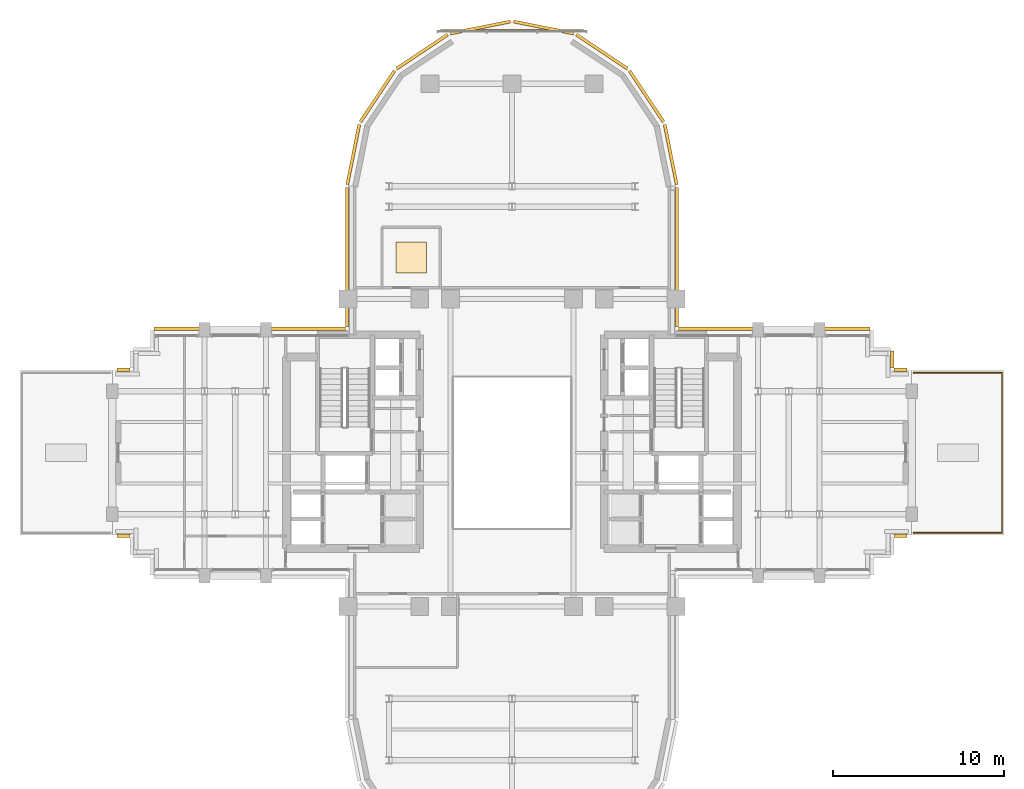
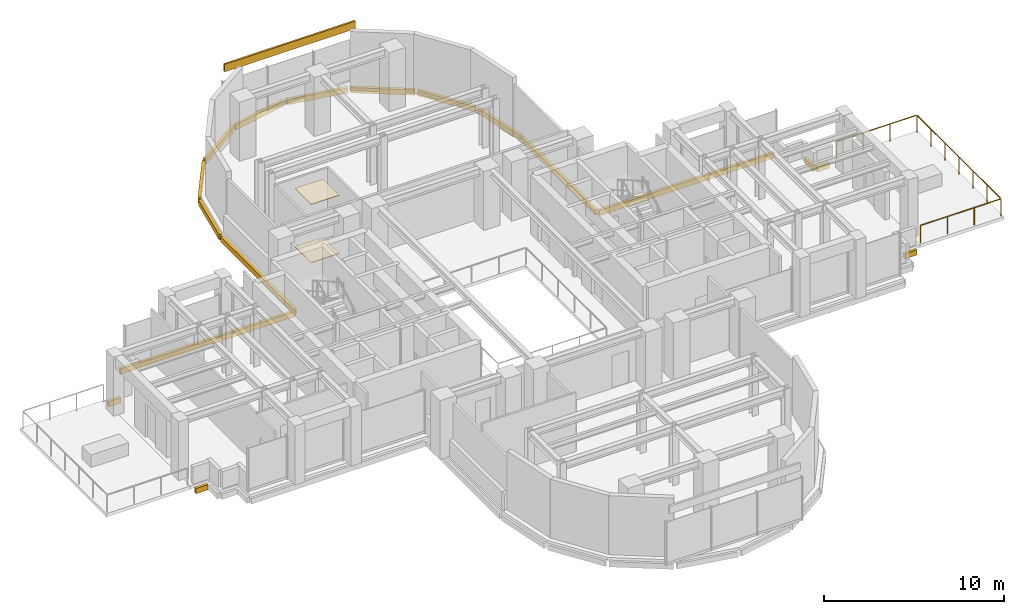
# One storey, part 14 of 16: 20 coverings, 1 railing.
"""IFC4 building model written with IfcOpenShell, lengths in metres."""

from ifc_helpers import new_model, si_unit, direction, frame, origin, origin_2d, place, context, subcontext, project, spatial, rectangle, extrude, source, transform, mapped, material, layer, layer_set, type_object, element, save


model = new_model("IFC4")

# Units and contexts
model_context = context("Model", 3, precision=1e-05, world=origin(), true_north=direction((0.0, 1.0)))
body_context = subcontext(model_context, "Body", "Model", "MODEL_VIEW")
ifc_project = project(units=[si_unit("LENGTHUNIT", "METRE"), si_unit("AREAUNIT", "SQUARE_METRE"), si_unit("VOLUMEUNIT", "CUBIC_METRE"), si_unit("PLANEANGLEUNIT", "RADIAN"), si_unit("MASSUNIT", "GRAM", prefix="KILO")], contexts=[model_context])

# Site, building, storey
site_placement = place(None, origin())
site = spatial("IfcSite", under=ifc_project, at=site_placement, CompositionType="ELEMENT")
building_placement = place(site_placement, origin())
building = spatial("IfcBuilding", under=site, at=building_placement, Name="Keilestroom Media Tower", CompositionType="ELEMENT")
storey_placement = place(building_placement, frame((0.0, 0.0, 93.0)))
storey = spatial("IfcBuildingStorey", under=building, at=storey_placement, Name="L24", CompositionType="ELEMENT", Elevation=93.0)

# Railing
ifc_material_1 = material(Name="Laminated Safety Glass & Bronze Aluminium", Category="aluminium")
railing_type = type_object("IfcRailingType", Name="Terrace-And-Atrium-Guard-Balustrade-GD-SKY", PredefinedType="BALUSTRADE", material=ifc_material_1)
railing_placement = place(storey_placement, frame((23.52001953125, -4.679931640625, 0.0)))
element("IfcRailing", 1, at=railing_placement, inside=storey, type_object=railing_type, Name="L24 Terrace Perimeter Guard SG24-E", PredefinedType="BALUSTRADE", context=body_context, shape_type="SweptSolid", body=[
    extrude(rectangle(XDim=0.048095703125, YDim=0.048095703125, at=origin_2d()), frame((0.0, 0.0, 1.17578125), z_axis=(1.0, 0.0, 0.0), x_axis=(0.0, 1.0, 0.0)), (0.0, 0.0, 1.0), 5.11181640625),
    extrude(rectangle(XDim=0.048095703125, YDim=0.048095703125, at=origin_2d()), frame((5.159912109375, 0.048095703125, 1.17578125), z_axis=(0.0, 1.0, 0.0), x_axis=(-1.0, 0.0, 0.0)), (0.0, 0.0, 1.0), 9.263671875),
    extrude(rectangle(XDim=0.048095703125, YDim=0.048095703125, at=origin_2d()), frame((5.11181640625, 9.35986328125, 1.17578125), z_axis=(-1.0, 0.0, 0.0), x_axis=(0.0, -1.0, 0.0)), (0.0, 0.0, 1.0), 5.11181640625),
    extrude(rectangle(XDim=0.0419921875, YDim=0.0419921875, at=origin_2d()), origin(), (0.0, 0.0, 1.0), 1.143798828125),
    extrude(rectangle(XDim=0.0419921875, YDim=0.0419921875, at=origin_2d()), frame((1.719970703125, 0.0, 0.0)), (0.0, 0.0, 1.0), 1.143798828125),
    extrude(rectangle(XDim=0.0419921875, YDim=0.0419921875, at=origin_2d()), frame((3.43994140625, 0.0, 0.0)), (0.0, 0.0, 1.0), 1.143798828125),
    extrude(rectangle(XDim=0.0419921875, YDim=0.0419921875, at=origin_2d()), frame((5.159912109375, 0.0, 0.0)), (0.0, 0.0, 1.0), 1.143798828125),
    extrude(rectangle(XDim=0.0419921875, YDim=0.0419921875, at=origin_2d()), frame((5.159912109375, 1.56005859375, 0.0)), (0.0, 0.0, 1.0), 1.143798828125),
    extrude(rectangle(XDim=0.0419921875, YDim=0.0419921875, at=origin_2d()), frame((5.159912109375, 3.119873046875, 0.0)), (0.0, 0.0, 1.0), 1.143798828125),
    extrude(rectangle(XDim=0.0419921875, YDim=0.0419921875, at=origin_2d()), frame((5.159912109375, 4.679931640625, 0.0)), (0.0, 0.0, 1.0), 1.143798828125),
    extrude(rectangle(XDim=0.0419921875, YDim=0.0419921875, at=origin_2d()), frame((5.159912109375, 6.239990234375, 0.0)), (0.0, 0.0, 1.0), 1.143798828125),
    extrude(rectangle(XDim=0.0419921875, YDim=0.0419921875, at=origin_2d()), frame((5.159912109375, 7.7998046875, 0.0)), (0.0, 0.0, 1.0), 1.143798828125),
    extrude(rectangle(XDim=0.0419921875, YDim=0.0419921875, at=origin_2d()), frame((5.159912109375, 9.35986328125, 0.0)), (0.0, 0.0, 1.0), 1.143798828125),
    extrude(rectangle(XDim=0.0419921875, YDim=0.0419921875, at=origin_2d()), frame((3.43994140625, 9.35986328125, 0.0)), (0.0, 0.0, 1.0), 1.143798828125),
    extrude(rectangle(XDim=0.0419921875, YDim=0.0419921875, at=origin_2d()), frame((1.719970703125, 9.35986328125, 0.0)), (0.0, 0.0, 1.0), 1.143798828125),
    extrude(rectangle(XDim=0.0419921875, YDim=0.0419921875, at=origin_2d()), frame((0.0, 9.35986328125, 0.0)), (0.0, 0.0, 1.0), 1.143798828125),
])

# Coverings
ifc_material_2 = material(Name="Precast concrete C40/50", Category="concrete")
ifc_layer_1 = layer(ifc_material_2, 0.1201171875)
ifc_layer_set_1 = layer_set([ifc_layer_1], Name="Precast concrete C40/50")
covering_type_1 = type_object("IfcCoveringType", Name="Exterior-Precast-Spandrel-Cladding-Panel-120", PredefinedType="CLADDING", material=ifc_layer_set_1)
shared_shape_1 = source(origin(), body_context, "Body", "SweptSolid", [
    extrude(rectangle(XDim=8.39990234375, YDim=0.1201171875, at=origin_2d()), origin(), (0.0, 0.0, 1.0), 0.52001953125),
])
covering_1_placement = place(storey_placement, frame((0.0, 24.719970703125, 3.489990234375), z_axis=(0.0, 0.0, 1.0), x_axis=(1.0, 0.0, 0.0)))
element("IfcCovering", 2, at=covering_1_placement, inside=storey, type_object=covering_type_1, Name="L24 Precast Spandrel Cladding N", PredefinedType="CLADDING", context=body_context, shape_type="MappedRepresentation", body=[
    mapped(shared_shape_1, transform((0.0, 0.0, 0.0), x_axis=(1.0, 0.0, 0.0), y_axis=(0.0, 1.0, 0.0), z_axis=(0.0, 0.0, 1.0), scale=1.0)),
])
shared_shape_2 = source(origin(), body_context, "Body", "SweptSolid", [
    extrude(rectangle(XDim=1.02001953125, YDim=0.179931640625, at=origin_2d()), origin(), (0.0, 0.0, 1.0), 0.360107421875),
])
covering_2_placement = place(storey_placement, frame((22.260009765625, 5.4599609375, -0.5400390625), z_axis=(0.0, 0.0, 1.0), x_axis=(0.0, -1.0, 0.0)))
element("IfcCovering", 3, at=covering_2_placement, inside=storey, type_object=covering_type_1, Name="L24 Precast Slab-Edge Fascia Cornice 39", PredefinedType="CLADDING", context=body_context, shape_type="MappedRepresentation", body=[
    mapped(shared_shape_2, transform((0.0, 0.0, 0.0), x_axis=(1.0, 0.0, 0.0), y_axis=(0.0, 1.0, 0.0), z_axis=(0.0, 0.0, 1.0), scale=1.0)),
])
shared_shape_3 = source(origin(), body_context, "Body", "SweptSolid", [
    extrude(rectangle(XDim=8.166015625, YDim=0.179931640625, at=origin_2d()), origin(), (0.0, 0.0, 1.0), 0.360107421875),
])
for number, where, z_axis, x_axis, name in (
    (4, (-9.659912109375, 11.43310546875, -0.5400390625), (0.0, 0.0, 1.0), (0.0, 1.0, 0.0), "L24 Precast Slab-Edge Fascia Cornice 26"),
    (5, (9.659912109375, 11.43310546875, -0.5400390625), (0.0, 0.0, 1.0), (0.0, -1.0, 0.0), "L24 Precast Slab-Edge Fascia Cornice 35"),
):
    element("IfcCovering", number, at=place(storey_placement, frame(where, z_axis=z_axis, x_axis=x_axis)), inside=storey, type_object=covering_type_1, Name=name, PredefinedType="CLADDING", context=body_context, shape_type="MappedRepresentation", body=[
        mapped(shared_shape_3, transform((0.0, 0.0, 0.0), x_axis=(1.0, 0.0, 0.0), y_axis=(0.0, 1.0, 0.0), z_axis=(0.0, 0.0, 1.0), scale=1.0)),
    ])
shared_shape_4 = source(origin(), body_context, "Body", "SweptSolid", [
    extrude(rectangle(XDim=3.58349609375, YDim=0.179931640625, at=origin_2d()), origin(), (0.0, 0.0, 1.0), 0.360107421875),
])
for number, where, z_axis, x_axis, name in (
    (6, (-9.29296875, 17.45166015625, -0.5400390625), (0.0, 0.0, 1.0), (0.195098880975, 0.980783577882, 0.0), "L24 Precast Slab-Edge Fascia Cornice 27"),
    (7, (9.29296875, 17.45166015625, -0.5400390625), (0.0, 0.0, 1.0), (0.195098880975, -0.980783577882, 0.0), "L24 Precast Slab-Edge Fascia Cornice 34"),
):
    element("IfcCovering", number, at=place(storey_placement, frame(where, z_axis=z_axis, x_axis=x_axis)), inside=storey, type_object=covering_type_1, Name=name, PredefinedType="CLADDING", context=body_context, shape_type="MappedRepresentation", body=[
        mapped(shared_shape_4, transform((0.0, 0.0, 0.0), x_axis=(1.0, 0.0, 0.0), y_axis=(0.0, 1.0, 0.0), z_axis=(0.0, 0.0, 1.0), scale=1.0)),
    ])
shared_shape_5 = source(origin(), body_context, "Body", "SweptSolid", [
    extrude(rectangle(XDim=3.589599609375, YDim=0.179931640625, at=origin_2d()), origin(), (0.0, 0.0, 1.0), 0.360107421875),
])
for number, where, z_axis, x_axis, name in (
    (8, (-7.878662109375, 20.8642578125, -0.5400390625), (0.0, 0.0, 1.0), (0.555574586577, 0.831466703332, 0.0), "L24 Precast Slab-Edge Fascia Cornice 28"),
    (9, (-5.264404296875, 23.478515625, -0.5400390625), (0.0, 0.0, 1.0), (0.831466703332, 0.555574586577, 0.0), "L24 Precast Slab-Edge Fascia Cornice 29"),
    (10, (-1.8486328125, 24.893310546875, -0.5400390625), (0.0, 0.0, 1.0), (0.980783577882, 0.195098880975, 0.0), "L24 Precast Slab-Edge Fascia Cornice 30"),
    (11, (1.8486328125, 24.893310546875, -0.5400390625), (0.0, 0.0, 1.0), (0.980783577882, -0.195098880975, 0.0), "L24 Precast Slab-Edge Fascia Cornice 31"),
    (12, (5.264404296875, 23.478515625, -0.5400390625), (0.0, 0.0, 1.0), (0.831466703332, -0.555574586577, 0.0), "L24 Precast Slab-Edge Fascia Cornice 32"),
    (13, (7.878662109375, 20.8642578125, -0.5400390625), (0.0, 0.0, 1.0), (0.555574586577, -0.831466703332, 0.0), "L24 Precast Slab-Edge Fascia Cornice 33"),
):
    element("IfcCovering", number, at=place(storey_placement, frame(where, z_axis=z_axis, x_axis=x_axis)), inside=storey, type_object=covering_type_1, Name=name, PredefinedType="CLADDING", context=body_context, shape_type="MappedRepresentation", body=[
        mapped(shared_shape_5, transform((0.0, 0.0, 0.0), x_axis=(1.0, 0.0, 0.0), y_axis=(0.0, 1.0, 0.0), z_axis=(0.0, 0.0, 1.0), scale=1.0)),
    ])
shared_shape_6 = source(origin(), body_context, "Body", "SweptSolid", [
    extrude(rectangle(XDim=0.780029296875, YDim=0.179931640625, at=origin_2d()), origin(), (0.0, 0.0, 1.0), 0.360107421875),
])
for number, where, z_axis, x_axis, name in (
    (14, (22.739990234375, -4.860107421875, -0.5400390625), (0.0, 0.0, 1.0), (-1.0, 0.0, 0.0), "L24 Precast Slab-Edge Fascia Cornice 01"),
    (15, (-22.739990234375, -4.860107421875, -0.5400390625), (0.0, 0.0, 1.0), (-1.0, 0.0, 0.0), "L24 Precast Slab-Edge Fascia Cornice 20"),
    (16, (-22.739990234375, 4.860107421875, -0.5400390625), (0.0, 0.0, 1.0), (1.0, 0.0, 0.0), "L24 Precast Slab-Edge Fascia Cornice 21"),
    (17, (22.739990234375, 4.860107421875, -0.5400390625), (0.0, 0.0, 1.0), (1.0, 0.0, 0.0), "L24 Precast Slab-Edge Fascia Cornice 40"),
):
    element("IfcCovering", number, at=place(storey_placement, frame(where, z_axis=z_axis, x_axis=x_axis)), inside=storey, type_object=covering_type_1, Name=name, PredefinedType="CLADDING", context=body_context, shape_type="MappedRepresentation", body=[
        mapped(shared_shape_6, transform((0.0, 0.0, 0.0), x_axis=(1.0, 0.0, 0.0), y_axis=(0.0, 1.0, 0.0), z_axis=(0.0, 0.0, 1.0), scale=1.0)),
    ])
shared_shape_7 = source(origin(), body_context, "Body", "SweptSolid", [
    extrude(rectangle(XDim=11.219970703125, YDim=0.179931640625, at=origin_2d()), origin(), (0.0, 0.0, 1.0), 0.360107421875),
])
for number, where, z_axis, x_axis, name in (
    (18, (-15.360107421875, 7.260009765625, -0.5400390625), (0.0, 0.0, 1.0), (1.0, 0.0, 0.0), "L24 Precast Slab-Edge Fascia Cornice 25"),
    (19, (15.360107421875, 7.260009765625, -0.5400390625), (0.0, 0.0, 1.0), (1.0, 0.0, 0.0), "L24 Precast Slab-Edge Fascia Cornice 36"),
):
    element("IfcCovering", number, at=place(storey_placement, frame(where, z_axis=z_axis, x_axis=x_axis)), inside=storey, type_object=covering_type_1, Name=name, PredefinedType="CLADDING", context=body_context, shape_type="MappedRepresentation", body=[
        mapped(shared_shape_7, transform((0.0, 0.0, 0.0), x_axis=(1.0, 0.0, 0.0), y_axis=(0.0, 1.0, 0.0), z_axis=(0.0, 0.0, 1.0), scale=1.0)),
    ])
ifc_material_3 = material(Name="Mineral-Fibre Acoustic Ceiling Tile", Category="gypsum")
ifc_layer_2 = layer(ifc_material_3, 0.0400390625)
ifc_layer_set_2 = layer_set([ifc_layer_2], Name="Mineral-Fibre Acoustic Ceiling Tile")
covering_type_2 = type_object("IfcCoveringType", Name="Suspended-Acoustic-Ceiling-40", PredefinedType="CEILING", material=ifc_layer_set_2)
shared_shape_8 = source(origin(), body_context, "Body", "SweptSolid", [
    extrude(rectangle(XDim=1.800048828125, YDim=1.800048828125, at=origin_2d()), origin(), (0.0, 0.0, 1.0), 0.0400390625),
])
covering_3_placement = place(storey_placement, frame((-5.89990234375, 11.425048828125, 3.9599609375), z_axis=(0.0, 0.0, 1.0), x_axis=(1.0, 0.0, 0.0)))
element("IfcCovering", 20, at=covering_3_placement, inside=storey, type_object=covering_type_2, Name="L24 Suspended Acoustic Ceiling 1", PredefinedType="CEILING", context=body_context, shape_type="MappedRepresentation", body=[
    mapped(shared_shape_8, transform((0.0, 0.0, 0.0), x_axis=(1.0, 0.0, 0.0), y_axis=(0.0, 1.0, 0.0), z_axis=(0.0, 0.0, 1.0), scale=1.0)),
])
ifc_material_4 = material(Name="Calcium-Sulphate Raised Access Floor", Category="concrete")
ifc_layer_3 = layer(ifc_material_4, 0.06005859375)
ifc_layer_set_3 = layer_set([ifc_layer_3], Name="Calcium-Sulphate Raised Access Floor")
covering_type_3 = type_object("IfcCoveringType", Name="Raised-Access-And-Acoustic-Flooring-60", PredefinedType="FLOORING", material=ifc_layer_set_3)
shared_shape_9 = source(origin(), body_context, "Body", "SweptSolid", [
    extrude(rectangle(XDim=1.800048828125, YDim=1.800048828125, at=origin_2d()), origin(), (0.0, 0.0, 1.0), 0.06005859375),
])
covering_4_placement = place(storey_placement, frame((-5.89990234375, 11.425048828125, 0.0), z_axis=(0.0, 0.0, 1.0), x_axis=(1.0, 0.0, 0.0)))
element("IfcCovering", 21, at=covering_4_placement, inside=storey, type_object=covering_type_3, Name="L24 Raised Access Flooring 1", PredefinedType="FLOORING", context=body_context, shape_type="MappedRepresentation", body=[
    mapped(shared_shape_9, transform((0.0, 0.0, 0.0), x_axis=(1.0, 0.0, 0.0), y_axis=(0.0, 1.0, 0.0), z_axis=(0.0, 0.0, 1.0), scale=1.0)),
])

save(model, "model.ifc")
